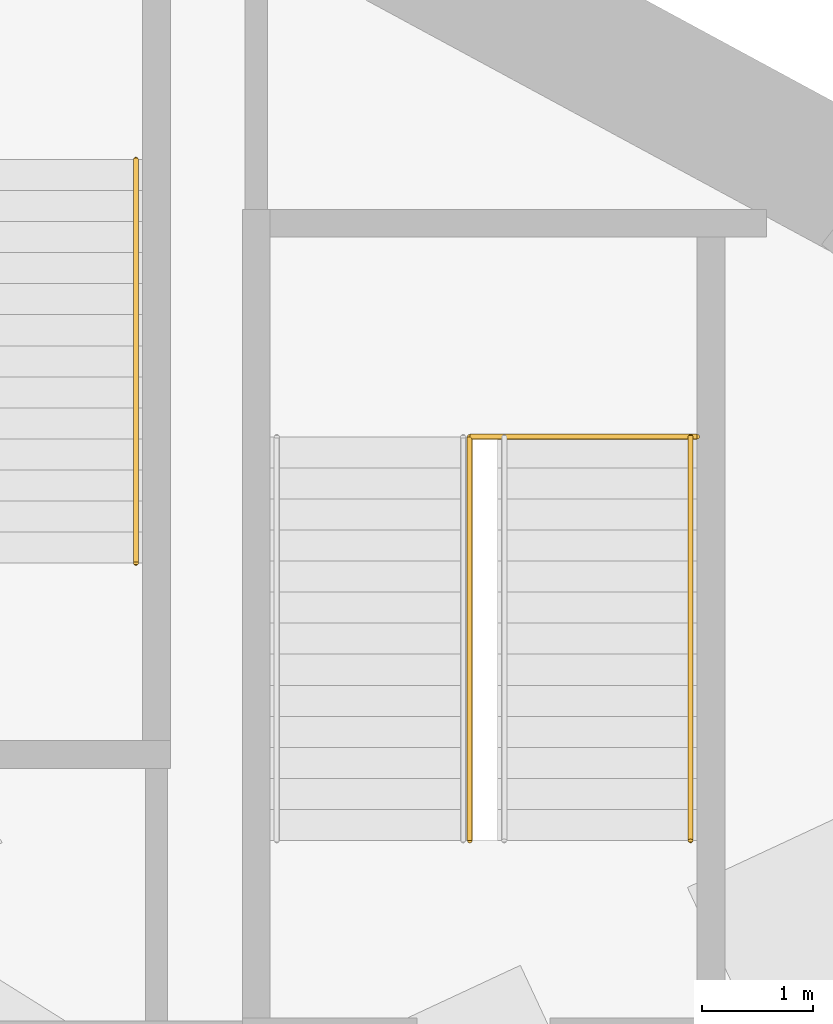
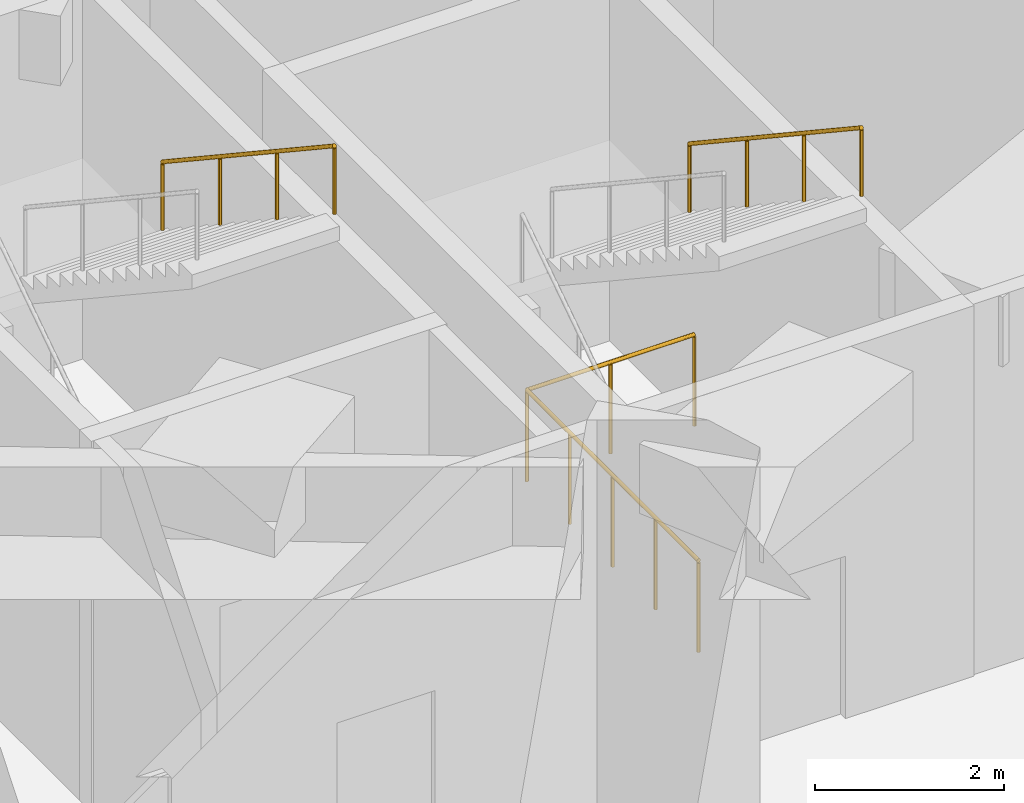
# One storey, part 13 of 14: 3 railings.
"""IFC4 building model written with IfcOpenShell, lengths in metres."""

import ifcopenshell
import ifcopenshell.guid

model = None  # the IFC model being written
_history = None  # IfcOwnerHistory: only IFC2X3 demands one
_inside = {}  # id of a spatial element -> (the spatial element, [elements in it])
_under = {}  # id of a project, library or spatial element -> (it, [spatial elements below it])
_declared = {}  # id of a project -> (the project, [libraries it declares])
_typed = {}  # id of a type object -> (the type object, [elements of that type])
_made_of = {}  # id of a material, layer set ... -> (it, [elements and type objects made of it])


def new_model(schema):
    """Start an empty IFC model of exactly this schema.

    Asked for "IFC4X3", IfcOpenShell would pick the latest addendum, in which some entities
    have other attributes; the version numbers below select the first issue.
    IFC2X3 requires an IfcOwnerHistory on every rooted entity: one is made here for all.
    """
    global model, _history
    if schema == "IFC4X3":
        model = ifcopenshell.file(schema_version=(4, 3, 0, 0))
    else:
        model = ifcopenshell.file(schema=schema)
    _inside.clear()
    _under.clear()
    _declared.clear()
    _typed.clear()
    _made_of.clear()
    _history = None
    if model.schema == "IFC2X3":
        org = make("IfcOrganization", Name="unknown")
        user = make(
            "IfcPersonAndOrganization",
            ThePerson=make("IfcPerson", FamilyName="unknown"),
            TheOrganization=org,
        )
        app = make(
            "IfcApplication",
            ApplicationDeveloper=org,
            Version="unknown",
            ApplicationFullName="unknown",
            ApplicationIdentifier="unknown",
        )
        _history = make(
            "IfcOwnerHistory",
            OwningUser=user,
            OwningApplication=app,
            ChangeAction="ADDED",
            CreationDate=0,
        )
    return model


def make(cls, **values):
    """One entity of the class cls with the attributes given. An attribute that is None is left unset."""
    return model.create_entity(
        cls, **{name: value for name, value in values.items() if value is not None}
    )


def rooted(cls, **values):
    """An entity with a GlobalId (a new one), such as an element, a storey or a relation."""
    return make(cls, GlobalId=ifcopenshell.guid.new(), OwnerHistory=_history, **values)


def si_unit(unit_type, name, prefix=None):
    """IfcSIUnit, for example si_unit("LENGTHUNIT", "METRE", prefix="MILLI")."""
    return make("IfcSIUnit", UnitType=unit_type, Prefix=prefix, Name=name)


def assignment(units):
    """IfcUnitAssignment: the units of a project."""
    return None if units is None else make("IfcUnitAssignment", Units=units)


def point(xyz):
    """IfcCartesianPoint."""
    return None if xyz is None else make("IfcCartesianPoint", Coordinates=xyz)


def direction(xyz):
    """IfcDirection."""
    return None if xyz is None else make("IfcDirection", DirectionRatios=xyz)


def frame(location, z_axis=None, x_axis=None):
    """IfcAxis2Placement3D, a coordinate frame: its origin and axes. An axis left out is left unset."""
    return make(
        "IfcAxis2Placement3D",
        Location=point(location),
        Axis=direction(z_axis),
        RefDirection=direction(x_axis),
    )


def frame_2d(location, x_axis=None):
    """IfcAxis2Placement2D, a coordinate frame in the plane: its origin and x axis."""
    return make(
        "IfcAxis2Placement2D", Location=point(location), RefDirection=direction(x_axis)
    )


def origin():
    """The frame at (0, 0, 0) with its axes left unset."""
    return frame((0.0, 0.0, 0.0))


def origin_2d():
    """The frame at (0, 0) in the plane with its x axis left unset."""
    return frame_2d((0.0, 0.0))


def place(relative_to, where):
    """IfcLocalPlacement: puts the frame where relative to a parent placement (None: the world)."""
    return make(
        "IfcLocalPlacement", PlacementRelTo=relative_to, RelativePlacement=where
    )


def context(
    kind, dimensions, precision=None, world=None, true_north=None, identifier=None
):
    """IfcGeometricRepresentationContext, for example the 3D "Model" context."""
    return make(
        "IfcGeometricRepresentationContext",
        ContextIdentifier=identifier,
        ContextType=kind,
        CoordinateSpaceDimension=dimensions,
        Precision=precision,
        WorldCoordinateSystem=world,
        TrueNorth=true_north,
    )


def subcontext(parent, identifier, kind, view, scale=None):
    """IfcGeometricRepresentationSubContext, for example "Body" below "Model"."""
    return make(
        "IfcGeometricRepresentationSubContext",
        ContextIdentifier=identifier,
        ContextType=kind,
        ParentContext=parent,
        TargetScale=scale,
        TargetView=view,
    )


def project(units=None, contexts=None):
    """IfcProject with its units and contexts."""
    return rooted(
        "IfcProject",
        Name="project",
        RepresentationContexts=contexts,
        UnitsInContext=assignment(units),
    )


def spatial(cls, under=None, at=None, **own):
    """A site, building, storey or space (cls), placed at a placement, below another one or the project."""
    s = rooted(cls, ObjectPlacement=at, **own)
    if under is not None:
        _under.setdefault(under.id(), (under, []))[1].append(s)
    return s


def profile(cls, at=None, kind="AREA", **sizes):
    """A parametric profile (cls). Its sizes go by their IFC names, for example OverallWidth=200.0."""
    return make(cls, ProfileType=kind, Position=at, **sizes)


def circle(**sizes):
    """IfcCircleProfileDef."""
    return profile("IfcCircleProfileDef", **sizes)


def extrude(swept, where, along, depth):
    """IfcExtrudedAreaSolid: the profile swept, set in the frame where, extruded along a direction by depth."""
    return make(
        "IfcExtrudedAreaSolid",
        SweptArea=swept,
        Position=where,
        ExtrudedDirection=direction(along),
        Depth=depth,
    )


def shape(context_of_items, identifier, shape_type, items):
    """IfcShapeRepresentation: the items that make up one representation, for example the "Body"."""
    return make(
        "IfcShapeRepresentation",
        ContextOfItems=context_of_items,
        RepresentationIdentifier=identifier,
        RepresentationType=shape_type,
        Items=items,
    )


def material(Name=None, Category=None):
    """IfcMaterial."""
    return make("IfcMaterial", Name=Name, Category=Category)


def made_of(thing, what):
    """Note that an element or type object is made of a material, layer set ...; save() writes the relation."""
    if what is not None:
        _made_of.setdefault(what.id(), (what, []))[1].append(thing)
    return thing


def type_object(cls, material=None, **own):
    """A type object (cls), such as IfcWallType, which elements share."""
    return made_of(rooted(cls, **own), material)


def element(
    cls,
    number,
    at=None,
    inside=None,
    cuts=None,
    type_object=None,
    material=None,
    context=None,
    identifier="Body",
    shape_type=None,
    held_by="IfcProductDefinitionShape",
    body=None,
    shapes=None,
    **own,
):
    """One element of the class cls, such as IfcWall. Its Tag is "e" and its number.

    at: its placement. inside: the storey or other place that contains it. cuts: it is an
    opening in that element (IfcRelVoidsElement). A single representation is given by context,
    identifier, shape_type and body (its items); several are given by shapes. held_by: the class
    of the entity that holds the representations. save() writes the other relations.
    """
    e = rooted(cls, Tag="e%d" % number, ObjectPlacement=at, **own)
    if body is not None:
        shapes = [shape(context, identifier, shape_type, body)]
    if shapes is not None:
        e.Representation = make(held_by, Representations=shapes)
    if inside is not None:
        _inside.setdefault(inside.id(), (inside, []))[1].append(e)
    if cuts is not None:
        rooted(
            "IfcRelVoidsElement", RelatingBuildingElement=cuts, RelatedOpeningElement=e
        )
    if type_object is not None:
        _typed.setdefault(type_object.id(), (type_object, []))[1].append(e)
    return made_of(e, material)


def aggregate(whole, parts):
    """IfcRelAggregates: a whole, such as a stair, and the parts it consists of."""
    return rooted("IfcRelAggregates", RelatingObject=whole, RelatedObjects=parts)


def save(model, path):
    """Write the relations noted so far, then the file.

    IfcRelAggregates (storeys below a building ...), IfcRelContainedInSpatialStructure (elements
    in a storey), IfcRelDefinesByType, IfcRelAssociatesMaterial and IfcRelDeclares: one each for
    every whole, place, type object, material and project.
    """
    for whole, parts in _under.values():
        aggregate(whole, parts)
    for where, things in _inside.values():
        rooted(
            "IfcRelContainedInSpatialStructure",
            RelatedElements=things,
            RelatingStructure=where,
        )
    for kind, things in _typed.values():
        rooted("IfcRelDefinesByType", RelatedObjects=things, RelatingType=kind)
    for what, things in _made_of.values():
        rooted("IfcRelAssociatesMaterial", RelatedObjects=things, RelatingMaterial=what)
    for by, libraries in _declared.values():
        rooted("IfcRelDeclares", RelatingContext=by, RelatedDefinitions=libraries)
    model.write(path)


model = new_model("IFC4")

# Units and contexts
model_context = context("Model", 3, precision=1e-05, world=origin(), true_north=direction((0.0, 1.0)))
body_context = subcontext(model_context, "Body", "Model", "MODEL_VIEW")
ifc_project = project(units=[si_unit("LENGTHUNIT", "METRE"), si_unit("AREAUNIT", "SQUARE_METRE"), si_unit("VOLUMEUNIT", "CUBIC_METRE"), si_unit("PLANEANGLEUNIT", "RADIAN"), si_unit("MASSUNIT", "GRAM", prefix="KILO")], contexts=[model_context])

# Site, building, storey
site_placement = place(None, origin())
site = spatial("IfcSite", under=ifc_project, at=site_placement, CompositionType="ELEMENT")
building_placement = place(site_placement, origin())
building = spatial("IfcBuilding", under=site, at=building_placement, Name="Taillehof Tower", CompositionType="ELEMENT")
storey_placement = place(building_placement, frame((0.0, 0.0, -5.199951171875)))
storey = spatial("IfcBuildingStorey", under=building, at=storey_placement, Name="B1", CompositionType="ELEMENT", Elevation=-5.199951171875)

# Railings
ifc_material_1 = material(Name="Stainless steel and laminated glass", Category="steel")
railing_type_1 = type_object("IfcRailingType", Name="Guard 1200 mm", PredefinedType="GUARDRAIL", material=ifc_material_1)
railing_placement = place(storey_placement, frame((24.375, 19.72509765625, 0.0)))
element("IfcRailing", 1, at=railing_placement, inside=storey, type_object=railing_type_1, Name="Guard B5", PredefinedType="GUARDRAIL", context=body_context, shape_type="SweptSolid", body=[
    extrude(circle(Radius=0.02392578125, at=origin_2d()), frame((0.0, 0.0, 1.17578125), z_axis=(0.0, 1.0, 0.0), x_axis=(-1.0, 0.0, 0.0)), (0.0, 0.0, 1.0), 3.639892578125),
    extrude(circle(Radius=0.02392578125, at=origin_2d()), frame((0.0, 3.639892578125, 1.17578125), z_axis=(1.0, 0.0, 0.0), x_axis=(0.0, 1.0, 0.0)), (0.0, 0.0, 1.0), 2.050048828125),
    extrude(circle(Radius=0.02099609375, at=origin_2d()), origin(), (0.0, 0.0, 1.0), 1.15185546875),
    extrude(circle(Radius=0.02099609375, at=origin_2d()), frame((0.0, 0.909912109375, 0.0)), (0.0, 0.0, 1.0), 1.15185546875),
    extrude(circle(Radius=0.02099609375, at=origin_2d()), frame((0.0, 1.81982421875, 0.0)), (0.0, 0.0, 1.0), 1.15185546875),
    extrude(circle(Radius=0.02099609375, at=origin_2d()), frame((0.0, 2.72998046875, 0.0)), (0.0, 0.0, 1.0), 1.15185546875),
    extrude(circle(Radius=0.02099609375, at=origin_2d()), frame((0.0, 3.639892578125, 0.0)), (0.0, 0.0, 1.0), 1.15185546875),
    extrude(circle(Radius=0.02099609375, at=origin_2d()), frame((1.02490234375, 3.639892578125, 0.0)), (0.0, 0.0, 1.0), 1.15185546875),
    extrude(circle(Radius=0.02099609375, at=origin_2d()), frame((2.050048828125, 3.639892578125, 0.0)), (0.0, 0.0, 1.0), 1.15185546875),
])
ifc_material_2 = material(Name="Stainless steel tube", Category="steel")
railing_type_2 = type_object("IfcRailingType", Name="Handrail 900 mm", PredefinedType="HANDRAIL", material=ifc_material_2)
for number, where, name in (
    (2, (26.364990234375, 23.364990234375, 2.78564453125), "Handrail ES5"),
    (3, (21.364990234375, 25.864990234375, 2.78564453125), "Handrail ES7"),
):
    element("IfcRailing", number, at=place(storey_placement, frame(where)), inside=storey, type_object=railing_type_2, Name=name, PredefinedType="HANDRAIL", context=body_context, shape_type="SweptSolid", body=[
        extrude(circle(Radius=0.02392578125, at=origin_2d()), frame((0.0, 0.0, 0.8759765625), z_axis=(0.0, -0.833346510843, 0.552750932036), x_axis=(1.0, 0.0, 0.0)), (0.0, 0.0, 1.0), 4.367919921875),
        extrude(circle(Radius=0.02099609375, at=origin_2d()), origin(), (0.0, 0.0, 1.0), 0.851806640625),
        extrude(circle(Radius=0.02099609375, at=origin_2d()), frame((0.0, -1.21337890625, 0.8046875)), (0.0, 0.0, 1.0), 0.851806640625),
        extrude(circle(Radius=0.02099609375, at=origin_2d()), frame((0.0, -2.426513671875, 1.609619140625)), (0.0, 0.0, 1.0), 0.851806640625),
        extrude(circle(Radius=0.02099609375, at=origin_2d()), frame((0.0, -3.639892578125, 2.414306640625)), (0.0, 0.0, 1.0), 0.851806640625),
    ])

save(model, "model.ifc")
